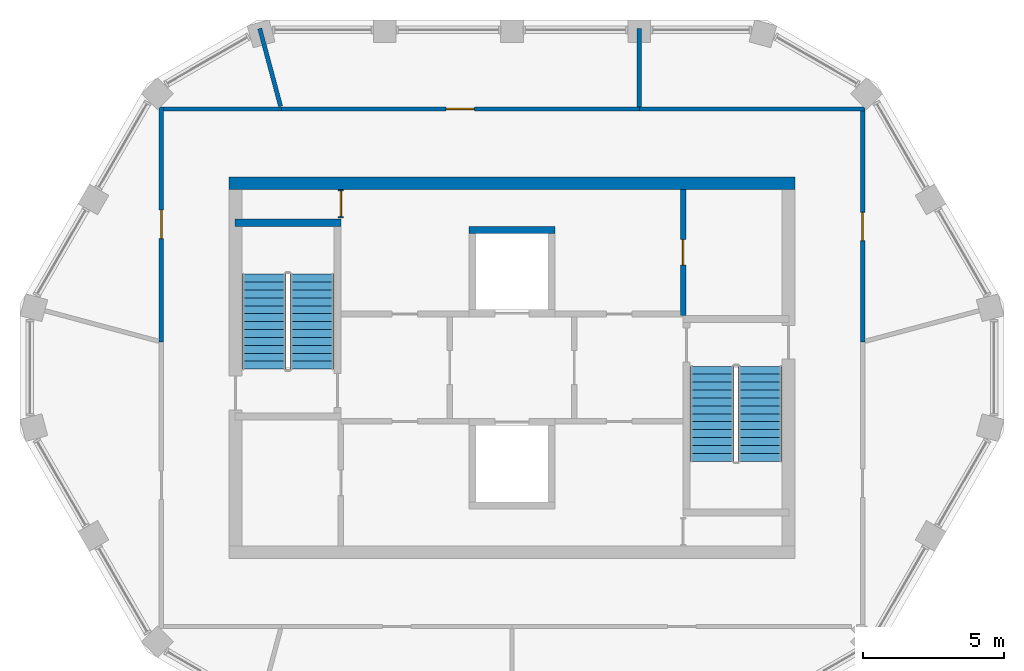
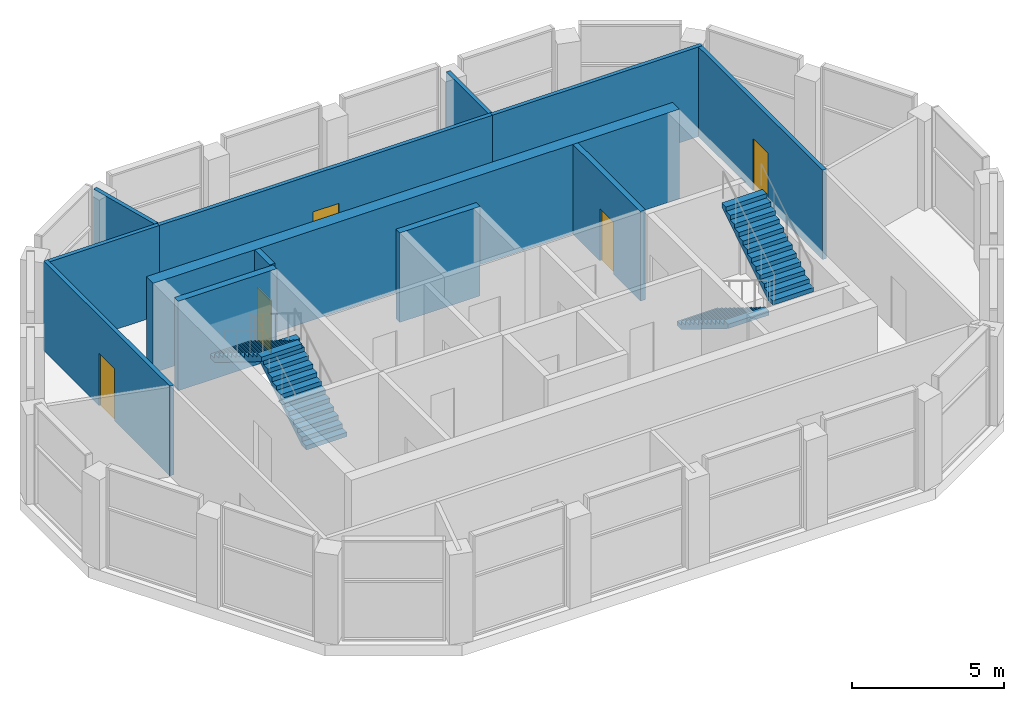
# One storey, part 5 of 6: 12 walls, 5 doors, 4 stair flights, 5 openings, 2 elements without a shape of their own.
"""IFC4 building model written with IfcOpenShell, lengths in metres."""

from ifc_helpers import new_model, si_unit, direction, frame, frame_2d, origin, place, context, subcontext, project, spatial, polyline, rectangle, outline, extrude, material, layer, layer_set, type_object, element, fill, aggregate, save


model = new_model("IFC4")

# Units and contexts
model_context = context("Model", 3, precision=1e-05, world=origin(), true_north=direction((0.0, 1.0)))
body_context = subcontext(model_context, "Body", "Model", "MODEL_VIEW")
ifc_project = project(units=[si_unit("LENGTHUNIT", "METRE"), si_unit("AREAUNIT", "SQUARE_METRE"), si_unit("VOLUMEUNIT", "CUBIC_METRE"), si_unit("PLANEANGLEUNIT", "RADIAN"), si_unit("MASSUNIT", "GRAM", prefix="KILO")], contexts=[model_context])

# Site, building, storey
site_placement = place(None, origin())
site = spatial("IfcSite", under=ifc_project, at=site_placement, CompositionType="ELEMENT")
building_placement = place(site_placement, origin())
building = spatial("IfcBuilding", under=site, at=building_placement, Name="Dhurran Vertical Campus", CompositionType="ELEMENT")
storey_placement = place(building_placement, frame((0.0, 0.0, 327.89990234375)))
storey = spatial("IfcBuildingStorey", under=building, at=storey_placement, Name="L80 Plant", CompositionType="ELEMENT", Elevation=327.89990234375)

# Wall
ifc_material_1 = material(Name="Concrete C50/60", Category="concrete")
ifc_layer_1 = layer(ifc_material_1, 0.449951171875)
ifc_layer_set_1 = layer_set([ifc_layer_1], Name="Concrete C50/60")
wall_type_1 = type_object("IfcWallType", Name="co-CORE-WALL-C4-450", PredefinedType="SHEAR", material=ifc_layer_set_1)
wall_1_placement = place(storey_placement, frame((-10.0, 6.52490234375, 0.0), z_axis=(0.0, 0.0, 1.0), x_axis=(1.0, 0.0, 0.0)))
element("IfcWall", 1, at=wall_1_placement, inside=storey, type_object=wall_type_1, Name="Core wall N L80", PredefinedType="SHEAR", context=body_context, shape_type="SweptSolid", body=[
    extrude(rectangle(XDim=20.0, YDim=0.449951171875, at=frame_2d((10.0, 0.0))), origin(), (0.0, 0.0, 1.0), 3.60009765625),
])

# Wall, opening, door
ifc_material_2 = material(Name="Fire-rated masonry blockwork", Category="masonry")
ifc_layer_2 = layer(ifc_material_2, 0.199951171875)
ifc_layer_set_2 = layer_set([ifc_layer_2], Name="Fire-rated masonry blockwork")
wall_type_2 = type_object("IfcWallType", Name="co-FIRE-PARTITION-200", PredefinedType="PARTITIONING", material=ifc_layer_set_2)
wall_2_placement = place(storey_placement, frame((-6.050048828125, 5.300048828125, 0.0), z_axis=(0.0, 0.0, 1.0), x_axis=(0.0, 1.0, 0.0)))
wall_2 = element("IfcWall", 2, at=wall_2_placement, inside=storey, type_object=wall_type_2, Name="Core partition bwn-d L80", PredefinedType="PARTITIONING", context=body_context, shape_type="SweptSolid", body=[
    extrude(rectangle(XDim=1.0, YDim=0.199951171875, at=frame_2d((0.5, 0.0))), origin(), (0.0, 0.0, 1.0), 3.60009765625),
])
opening_1_placement = place(wall_2_placement, frame((0.050048828125, 0.0, 0.0)))
opening_1 = element("IfcOpeningElement", 3, at=opening_1_placement, cuts=wall_2, Name="Opening CR80-C5", PredefinedType="OPENING", context=body_context, shape_type="SweptSolid", body=[
    extrude(rectangle(XDim=0.89990234375, YDim=2.10009765625, at=frame_2d((0.449951171875, 1.050048828125))), frame((0.0, 0.10986328125, 0.0), z_axis=(0.0, -1.0, 0.0), x_axis=(1.0, 0.0, 0.0)), (0.0, 0.0, 1.0), 0.219970703125),
])
ifc_material_3 = material(Name="Fire-rated timber door set", Category="wood")
door_type_1 = type_object("IfcDoorType", Name="co-D-ROOM 900x2100", OperationType="SINGLE_SWING_LEFT", PredefinedType="DOOR", material=ifc_material_3)
door_1_placement = place(opening_1_placement, origin())
door_1 = element("IfcDoor", 4, at=door_1_placement, inside=storey, type_object=door_type_1, Name="Plant room door L80", OperationType="SINGLE_SWING_LEFT", OverallHeight=2.10009765625, OverallWidth=0.89990234375, PredefinedType="DOOR", context=body_context, shape_type="SweptSolid", body=[
    extrude(rectangle(XDim=0.89990234375, YDim=2.10009765625, at=frame_2d((0.449951171875, 1.050048828125))), frame((0.0, 0.02490234375, 0.0), z_axis=(0.0, -1.0, 0.0), x_axis=(1.0, 0.0, 0.0)), (0.0, 0.0, 1.0), 0.050048828125),
])
fill(opening_1, door_1)

wall_3_placement = place(storey_placement, frame((6.050048828125, 1.85009765625, 0.0), z_axis=(0.0, 0.0, 1.0), x_axis=(0.0, 1.0, 0.0)))
wall_3 = element("IfcWall", 5, at=wall_3_placement, inside=storey, type_object=wall_type_2, Name="Core partition ben-d L80", PredefinedType="PARTITIONING", context=body_context, shape_type="SweptSolid", body=[
    extrude(rectangle(XDim=4.449951171875, YDim=0.199951171875, at=frame_2d((2.22509765625, 0.0))), origin(), (0.0, 0.0, 1.0), 3.60009765625),
])
opening_2_placement = place(wall_3_placement, frame((1.77490234375, 0.0, 0.0)))
opening_2 = element("IfcOpeningElement", 6, at=opening_2_placement, cuts=wall_3, Name="Opening CR80-C7", PredefinedType="OPENING", context=body_context, shape_type="SweptSolid", body=[
    extrude(rectangle(XDim=0.89990234375, YDim=2.10009765625, at=frame_2d((0.449951171875, 1.050048828125))), frame((0.0, 0.10986328125, 0.0), z_axis=(0.0, -1.0, 0.0), x_axis=(1.0, 0.0, 0.0)), (0.0, 0.0, 1.0), 0.219970703125),
])
door_2_placement = place(opening_2_placement, origin())
door_2 = element("IfcDoor", 7, at=door_2_placement, inside=storey, type_object=door_type_1, Name="Plant room door L80", OperationType="SINGLE_SWING_LEFT", OverallHeight=2.10009765625, OverallWidth=0.89990234375, PredefinedType="DOOR", context=body_context, shape_type="SweptSolid", body=[
    extrude(rectangle(XDim=0.89990234375, YDim=2.10009765625, at=frame_2d((0.449951171875, 1.050048828125))), frame((0.0, 0.02490234375, 0.0), z_axis=(0.0, -1.0, 0.0), x_axis=(1.0, 0.0, 0.0)), (0.0, 0.0, 1.0), 0.050048828125),
])
fill(opening_2, door_2)

# Walls
ifc_material_4 = material(Name="Concrete C50/60", Category="concrete")
ifc_layer_3 = layer(ifc_material_4, 0.25)
ifc_layer_set_3 = layer_set([ifc_layer_3], Name="Concrete C50/60")
wall_type_3 = type_object("IfcWallType", Name="co-SHAFT-MASS-250", PredefinedType="SHEAR", material=ifc_layer_set_3)
wall_4_placement = place(storey_placement, origin())
element("IfcWall", 8, at=wall_4_placement, inside=storey, type_object=wall_type_3, Name="Lift shaft wall N L80 1", PredefinedType="SHEAR", context=body_context, shape_type="SweptSolid", body=[
    extrude(outline(polyline([(-1.52490234375, 4.75), (1.52490234375, 4.75), (1.52490234375, 5.0), (-1.52490234375, 5.0), (-1.52490234375, 4.75)])), origin(), (0.0, 0.0, 1.0), 3.60009765625),
])
ifc_material_5 = material(Name="Concrete C40/50", Category="concrete")
ifc_layer_4 = layer(ifc_material_5, 0.25)
ifc_layer_set_4 = layer_set([ifc_layer_4], Name="Concrete C40/50")
wall_type_4 = type_object("IfcWallType", Name="co-STAIR-WALL-250", PredefinedType="SHEAR", material=ifc_layer_set_4)
wall_5_placement = place(storey_placement, frame((-9.800048828125, 5.125, 0.0), z_axis=(0.0, 0.0, 1.0), x_axis=(1.0, 0.0, 0.0)))
element("IfcWall", 9, at=wall_5_placement, inside=storey, type_object=wall_type_4, Name="Stair ST5 enclosure wall L80", PredefinedType="SHEAR", context=body_context, shape_type="SweptSolid", body=[
    extrude(rectangle(XDim=3.75, YDim=0.25, at=frame_2d((1.875, 0.0))), origin(), (0.0, 0.0, 1.0), 3.60009765625),
])

# Wall, opening, door
ifc_material_6 = material(Name="Gypsum board corridor wall on steel studs", Category="steel")
ifc_layer_5 = layer(ifc_material_6, 0.14990234375)
ifc_layer_set_5 = layer_set([ifc_layer_5], Name="Gypsum board corridor wall on steel studs")
wall_type_5 = type_object("IfcWallType", Name="fl-CW-150 corridor wall", PredefinedType="PARTITIONING", material=ifc_layer_set_5)
wall_6_placement = place(storey_placement, frame((-12.39990234375, 9.22509765625, 0.0), z_axis=(0.0, 0.0, 1.0), x_axis=(0.0, -1.0, 0.0)))
wall_6 = element("IfcWall", 10, at=wall_6_placement, inside=storey, type_object=wall_type_5, Name="Partition 80-04", PredefinedType="PARTITIONING", context=body_context, shape_type="SweptSolid", body=[
    extrude(rectangle(XDim=8.314208984375, YDim=0.14990234375, at=frame_2d((4.1572265625, 0.0))), origin(), (0.0, 0.0, 1.0), 3.60009765625),
])
opening_3_placement = place(wall_6_placement, frame((3.656982421875, 0.0, 0.0)))
opening_3 = element("IfcOpeningElement", 11, at=opening_3_placement, cuts=wall_6, Name="Opening CR80.02", PredefinedType="OPENING", context=body_context, shape_type="SweptSolid", body=[
    extrude(rectangle(XDim=1.0, YDim=2.10009765625, at=frame_2d((0.5, 1.050048828125))), frame((0.0, 0.0849609375, 0.0), z_axis=(0.0, -1.0, 0.0), x_axis=(1.0, 0.0, 0.0)), (0.0, 0.0, 1.0), 0.169921875),
])
ifc_material_7 = material(Name="Solid-core timber door set, fire-rated", Category="wood")
door_type_2 = type_object("IfcDoorType", Name="fl-D-1000x2100", OperationType="SINGLE_SWING_LEFT", PredefinedType="DOOR", material=ifc_material_7)
door_3_placement = place(opening_3_placement, origin())
door_3 = element("IfcDoor", 12, at=door_3_placement, inside=storey, type_object=door_type_2, Name="Door 80.02", OperationType="SINGLE_SWING_RIGHT", OverallHeight=2.10009765625, OverallWidth=1.0, PredefinedType="DOOR", context=body_context, shape_type="SweptSolid", body=[
    extrude(rectangle(XDim=1.0, YDim=2.10009765625, at=frame_2d((0.5, 1.050048828125))), frame((0.0, 0.02490234375, 0.0), z_axis=(0.0, -1.0, 0.0), x_axis=(1.0, 0.0, 0.0)), (0.0, 0.0, 1.0), 0.050048828125),
])
fill(opening_3, door_3)

# Wall
wall_7_placement = place(storey_placement, frame((-8.157958984375, 9.14990234375, 0.0), z_axis=(0.0, 0.0, 1.0), x_axis=(-1.0, 0.0, 0.0)))
element("IfcWall", 13, at=wall_7_placement, inside=storey, type_object=wall_type_5, Name="Partition 80-05", PredefinedType="PARTITIONING", context=body_context, shape_type="SweptSolid", body=[
    extrude(rectangle(XDim=4.1669921875, YDim=0.14990234375, at=frame_2d((2.08349609375, 0.0))), origin(), (0.0, 0.0, 1.0), 3.60009765625),
])

# Wall, opening, door
wall_8_placement = place(storey_placement, frame((4.5, 9.14990234375, 0.0), z_axis=(0.0, 0.0, 1.0), x_axis=(-1.0, 0.0, 0.0)))
wall_8 = element("IfcWall", 14, at=wall_8_placement, inside=storey, type_object=wall_type_5, Name="Partition 80-09", PredefinedType="PARTITIONING", context=body_context, shape_type="SweptSolid", body=[
    extrude(rectangle(XDim=12.657958984375, YDim=0.14990234375, at=frame_2d((6.3291015625, 0.0))), origin(), (0.0, 0.0, 1.0), 3.60009765625),
])
opening_4_placement = place(wall_8_placement, frame((5.8291015625, 0.0, 0.0)))
opening_4 = element("IfcOpeningElement", 15, at=opening_4_placement, cuts=wall_8, Name="Opening CR80.04", PredefinedType="OPENING", context=body_context, shape_type="SweptSolid", body=[
    extrude(rectangle(XDim=1.0, YDim=2.10009765625, at=frame_2d((0.5, 1.050048828125))), frame((0.0, 0.0849609375, 0.0), z_axis=(0.0, -1.0, 0.0), x_axis=(1.0, 0.0, 0.0)), (0.0, 0.0, 1.0), 0.169921875),
])
door_4_placement = place(opening_4_placement, origin())
door_4 = element("IfcDoor", 16, at=door_4_placement, inside=storey, type_object=door_type_2, Name="Door 80.04", OperationType="SINGLE_SWING_LEFT", OverallHeight=2.10009765625, OverallWidth=1.0, PredefinedType="DOOR", context=body_context, shape_type="SweptSolid", body=[
    extrude(rectangle(XDim=1.0, YDim=2.10009765625, at=frame_2d((0.5, 1.050048828125))), frame((0.0, 0.02490234375, 0.0), z_axis=(0.0, -1.0, 0.0), x_axis=(1.0, 0.0, 0.0)), (0.0, 0.0, 1.0), 0.050048828125),
])
fill(opening_4, door_4)

# Wall
wall_9_placement = place(storey_placement, frame((12.47509765625, 9.14990234375, 0.0), z_axis=(0.0, 0.0, 1.0), x_axis=(-1.0, 0.0, 0.0)))
element("IfcWall", 17, at=wall_9_placement, inside=storey, type_object=wall_type_5, Name="Partition 80-13", PredefinedType="PARTITIONING", context=body_context, shape_type="SweptSolid", body=[
    extrude(rectangle(XDim=7.97509765625, YDim=0.14990234375, at=frame_2d((3.987548828125, 0.0))), origin(), (0.0, 0.0, 1.0), 3.60009765625),
])

# Wall, opening, door
wall_10_placement = place(storey_placement, frame((12.39990234375, 0.910888671875, 0.0), z_axis=(0.0, 0.0, 1.0), x_axis=(0.0, 1.0, 0.0)))
wall_10 = element("IfcWall", 18, at=wall_10_placement, inside=storey, type_object=wall_type_5, Name="Partition 80-17", PredefinedType="PARTITIONING", context=body_context, shape_type="SweptSolid", body=[
    extrude(rectangle(XDim=8.1640625, YDim=0.14990234375, at=frame_2d((4.08203125, 0.0))), origin(), (0.0, 0.0, 1.0), 3.60009765625),
])
opening_5_placement = place(wall_10_placement, frame((3.58203125, 0.0, 0.0)))
opening_5 = element("IfcOpeningElement", 19, at=opening_5_placement, cuts=wall_10, Name="Opening CR80.06", PredefinedType="OPENING", context=body_context, shape_type="SweptSolid", body=[
    extrude(rectangle(XDim=1.0, YDim=2.10009765625, at=frame_2d((0.5, 1.050048828125))), frame((0.0, 0.0849609375, 0.0), z_axis=(0.0, -1.0, 0.0), x_axis=(1.0, 0.0, 0.0)), (0.0, 0.0, 1.0), 0.169921875),
])
door_5_placement = place(opening_5_placement, origin())
door_5 = element("IfcDoor", 20, at=door_5_placement, inside=storey, type_object=door_type_2, Name="Door 80.06", OperationType="SINGLE_SWING_LEFT", OverallHeight=2.10009765625, OverallWidth=1.0, PredefinedType="DOOR", context=body_context, shape_type="SweptSolid", body=[
    extrude(rectangle(XDim=1.0, YDim=2.10009765625, at=frame_2d((0.5, 1.050048828125))), frame((0.0, 0.02490234375, 0.0), z_axis=(0.0, -1.0, 0.0), x_axis=(1.0, 0.0, 0.0)), (0.0, 0.0, 1.0), 0.050048828125),
])
fill(opening_5, door_5)

# Walls
ifc_material_8 = material(Name="Gypsum board partition on steel studs", Category="steel")
ifc_layer_6 = layer(ifc_material_8, 0.14990234375)
ifc_layer_set_6 = layer_set([ifc_layer_6], Name="Gypsum board partition on steel studs")
wall_type_6 = type_object("IfcWallType", Name="fl-PW-150 fixed partition", PredefinedType="PARTITIONING", material=ifc_layer_set_6)
wall_11_placement = place(storey_placement, frame((-8.919921875, 11.993896484375, 0.0), z_axis=(0.0, 0.0, 1.0), x_axis=(0.258771776933, -0.965938490517, 0.0)))
element("IfcWall", 21, at=wall_11_placement, inside=storey, type_object=wall_type_6, Name="Partition 80-07", PredefinedType="PARTITIONING", context=body_context, shape_type="SweptSolid", body=[
    extrude(rectangle(XDim=2.849365234375, YDim=0.14990234375, at=frame_2d((1.4248046875, 0.0))), origin(), (0.0, 0.0, 1.0), 3.60009765625),
])
wall_12_placement = place(storey_placement, frame((4.5, 11.993896484375, 0.0), z_axis=(0.0, 0.0, 1.0), x_axis=(0.0, -1.0, 0.0)))
element("IfcWall", 22, at=wall_12_placement, inside=storey, type_object=wall_type_6, Name="Partition 80-12", PredefinedType="PARTITIONING", context=body_context, shape_type="SweptSolid", body=[
    extrude(rectangle(XDim=2.768798828125, YDim=0.14990234375, at=frame_2d((1.38427734375, 0.0))), origin(), (0.0, 0.0, 1.0), 3.60009765625),
])

# Stair, stair flights
ifc_material_9 = material(Name="Concrete C40/50", Category="concrete")
stair_type = type_object("IfcStairType", Name="co-ST-CORE", PredefinedType="HALF_TURN_STAIR", material=ifc_material_9)
stair_1_placement = place(storey_placement, origin())
stair_1 = element("IfcStair", 23, at=stair_1_placement, inside=storey, type_object=stair_type, Name="L80 Plant Protected exit stair ST5", PredefinedType="HALF_TURN_STAIR")
ifc_material_10 = material(Name="Concrete C40/50", Category="concrete")
stair_flight_type = type_object("IfcStairFlightType", Name="co-SFL-RC", PredefinedType="STRAIGHT", material=ifc_material_10)
stair_flight_1_placement = place(storey_placement, frame((-7.074951171875, -0.050048828125, 0.0), z_axis=(0.0, 0.0, 1.0), x_axis=(0.0, 1.0, 0.0)))
stair_flight_1 = element("IfcStairFlight", 24, at=stair_flight_1_placement, type_object=stair_flight_type, Name="ST5 flight 1", NumberOfRisers=13, NumberOfTreads=12, PredefinedType="STRAIGHT", RiserHeight=0.173076923, TreadLength=0.28, context=body_context, shape_type="SweptSolid", body=[
    extrude(outline(polyline([(0.0, 0.0), (0.0, 0.173095703125), (0.280029296875, 0.173095703125), (0.280029296875, 0.34619140625), (0.56005859375, 0.34619140625), (0.56005859375, 0.519287109375), (0.840087890625, 0.519287109375), (0.840087890625, 0.6923828125), (1.1201171875, 0.6923828125), (1.1201171875, 0.865478515625), (1.39990234375, 0.865478515625), (1.39990234375, 1.03857421875), (1.679931640625, 1.03857421875), (1.679931640625, 1.21142578125), (1.9599609375, 1.21142578125), (1.9599609375, 1.384521484375), (2.239990234375, 1.384521484375), (2.239990234375, 1.5576171875), (2.52001953125, 1.5576171875), (2.52001953125, 1.730712890625), (2.800048828125, 1.730712890625), (2.800048828125, 1.90380859375), (3.080078125, 1.90380859375), (3.080078125, 2.076904296875), (3.360107421875, 2.076904296875), (3.360107421875, 2.25), (3.360107421875, 1.900634765625), (0.28515625, 0.0), (0.0, 0.0)])), frame((0.0, 0.77490234375, 0.0), z_axis=(0.0, -1.0, 0.0), x_axis=(1.0, 0.0, 0.0)), (0.0, 0.0, 1.0), 1.550048828125),
])
stair_flight_2_placement = place(storey_placement, frame((-8.77490234375, 3.31005859375, 2.25), z_axis=(0.0, 0.0, 1.0), x_axis=(0.0, -1.0, 0.0)))
stair_flight_2 = element("IfcStairFlight", 25, at=stair_flight_2_placement, type_object=stair_flight_type, Name="ST5 flight 2", NumberOfRisers=13, NumberOfTreads=12, PredefinedType="STRAIGHT", RiserHeight=0.173076923, TreadLength=0.28, context=body_context, shape_type="SweptSolid", body=[
    extrude(outline(polyline([(0.0, 0.0), (0.0, 0.173095703125), (0.280029296875, 0.173095703125), (0.280029296875, 0.34619140625), (0.56005859375, 0.34619140625), (0.56005859375, 0.519287109375), (0.840087890625, 0.519287109375), (0.840087890625, 0.6923828125), (1.1201171875, 0.6923828125), (1.1201171875, 0.865478515625), (1.39990234375, 0.865478515625), (1.39990234375, 1.03857421875), (1.679931640625, 1.03857421875), (1.679931640625, 1.21142578125), (1.9599609375, 1.21142578125), (1.9599609375, 1.384521484375), (2.239990234375, 1.384521484375), (2.239990234375, 1.5576171875), (2.52001953125, 1.5576171875), (2.52001953125, 1.730712890625), (2.800048828125, 1.730712890625), (2.800048828125, 1.90380859375), (3.080078125, 1.90380859375), (3.080078125, 2.076904296875), (3.360107421875, 2.076904296875), (3.360107421875, 2.25), (3.360107421875, 1.900634765625), (0.28515625, 0.0), (0.0, 0.0)])), frame((0.0, 0.77490234375, 0.0), z_axis=(0.0, -1.0, 0.0), x_axis=(1.0, 0.0, 0.0)), (0.0, 0.0, 1.0), 1.550048828125),
])
aggregate(stair_1, [stair_flight_1, stair_flight_2])

stair_2_placement = place(storey_placement, origin())
stair_2 = element("IfcStair", 26, at=stair_2_placement, inside=storey, type_object=stair_type, Name="L80 Plant Protected exit stair ST6", PredefinedType="HALF_TURN_STAIR")
stair_flight_3_placement = place(storey_placement, frame((7.074951171875, 0.050048828125, 0.0), z_axis=(0.0, 0.0, 1.0), x_axis=(0.0, -1.0, 0.0)))
stair_flight_3 = element("IfcStairFlight", 27, at=stair_flight_3_placement, type_object=stair_flight_type, Name="ST6 flight 1", NumberOfRisers=13, NumberOfTreads=12, PredefinedType="STRAIGHT", RiserHeight=0.173076923, TreadLength=0.28, context=body_context, shape_type="SweptSolid", body=[
    extrude(outline(polyline([(0.0, 0.0), (0.0, 0.173095703125), (0.280029296875, 0.173095703125), (0.280029296875, 0.34619140625), (0.56005859375, 0.34619140625), (0.56005859375, 0.519287109375), (0.840087890625, 0.519287109375), (0.840087890625, 0.6923828125), (1.1201171875, 0.6923828125), (1.1201171875, 0.865478515625), (1.39990234375, 0.865478515625), (1.39990234375, 1.03857421875), (1.679931640625, 1.03857421875), (1.679931640625, 1.21142578125), (1.9599609375, 1.21142578125), (1.9599609375, 1.384521484375), (2.239990234375, 1.384521484375), (2.239990234375, 1.5576171875), (2.52001953125, 1.5576171875), (2.52001953125, 1.730712890625), (2.800048828125, 1.730712890625), (2.800048828125, 1.90380859375), (3.080078125, 1.90380859375), (3.080078125, 2.076904296875), (3.360107421875, 2.076904296875), (3.360107421875, 2.25), (3.360107421875, 1.900634765625), (0.28515625, 0.0), (0.0, 0.0)])), frame((0.0, 0.77490234375, 0.0), z_axis=(0.0, -1.0, 0.0), x_axis=(1.0, 0.0, 0.0)), (0.0, 0.0, 1.0), 1.550048828125),
])
stair_flight_4_placement = place(storey_placement, frame((8.77490234375, -3.31005859375, 2.25), z_axis=(0.0, 0.0, 1.0), x_axis=(0.0, 1.0, 0.0)))
stair_flight_4 = element("IfcStairFlight", 28, at=stair_flight_4_placement, type_object=stair_flight_type, Name="ST6 flight 2", NumberOfRisers=13, NumberOfTreads=12, PredefinedType="STRAIGHT", RiserHeight=0.173076923, TreadLength=0.28, context=body_context, shape_type="SweptSolid", body=[
    extrude(outline(polyline([(0.0, 0.0), (0.0, 0.173095703125), (0.280029296875, 0.173095703125), (0.280029296875, 0.34619140625), (0.56005859375, 0.34619140625), (0.56005859375, 0.519287109375), (0.840087890625, 0.519287109375), (0.840087890625, 0.6923828125), (1.1201171875, 0.6923828125), (1.1201171875, 0.865478515625), (1.39990234375, 0.865478515625), (1.39990234375, 1.03857421875), (1.679931640625, 1.03857421875), (1.679931640625, 1.21142578125), (1.9599609375, 1.21142578125), (1.9599609375, 1.384521484375), (2.239990234375, 1.384521484375), (2.239990234375, 1.5576171875), (2.52001953125, 1.5576171875), (2.52001953125, 1.730712890625), (2.800048828125, 1.730712890625), (2.800048828125, 1.90380859375), (3.080078125, 1.90380859375), (3.080078125, 2.076904296875), (3.360107421875, 2.076904296875), (3.360107421875, 2.25), (3.360107421875, 1.900634765625), (0.28515625, 0.0), (0.0, 0.0)])), frame((0.0, 0.77490234375, 0.0), z_axis=(0.0, -1.0, 0.0), x_axis=(1.0, 0.0, 0.0)), (0.0, 0.0, 1.0), 1.550048828125),
])
aggregate(stair_2, [stair_flight_3, stair_flight_4])

save(model, "model.ifc")
